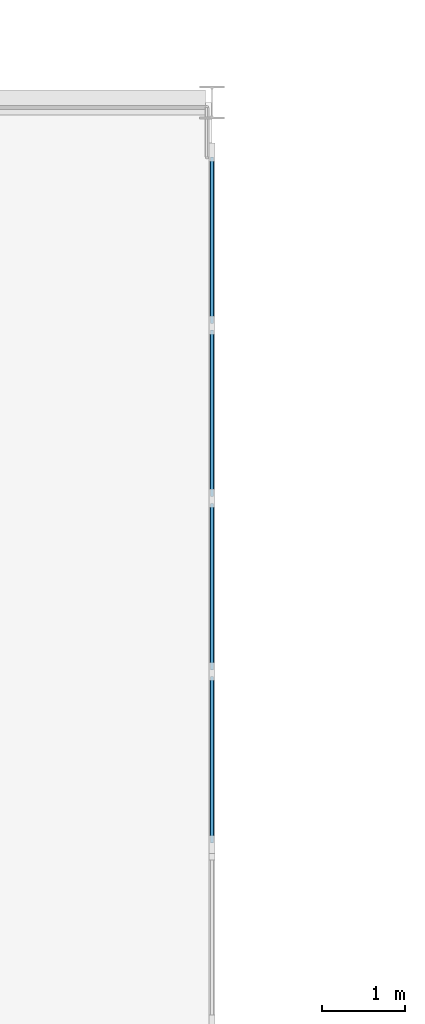
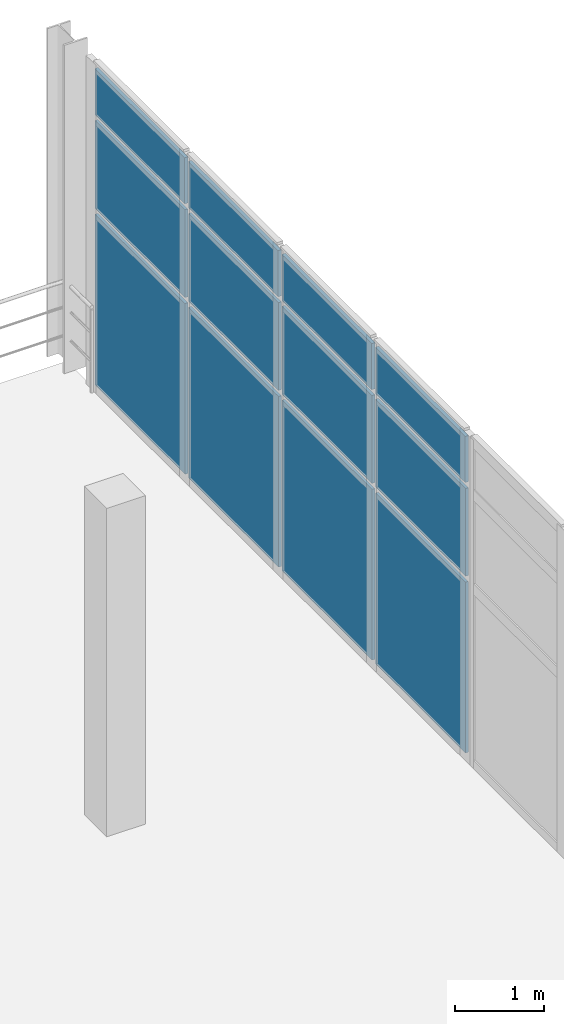
# One storey, part 34 of 52: 12 plates, 1 element without a shape of its own.
"""IFC4 building model written with IfcOpenShell, lengths in metres."""

from ifc_helpers import new_model, si_unit, direction, frame, origin, origin_2d, place, context, subcontext, project, spatial, rectangle, extrude, material, layer, layer_set, type_object, element, aggregate, save


model = new_model("IFC4")

# Units and contexts
model_context = context("Model", 3, precision=1e-05, world=origin(), true_north=direction((0.0, 1.0)))
body_context = subcontext(model_context, "Body", "Model", "MODEL_VIEW")
ifc_project = project(units=[si_unit("LENGTHUNIT", "METRE"), si_unit("AREAUNIT", "SQUARE_METRE"), si_unit("VOLUMEUNIT", "CUBIC_METRE"), si_unit("PLANEANGLEUNIT", "RADIAN"), si_unit("MASSUNIT", "GRAM", prefix="KILO"), si_unit("THERMODYNAMICTEMPERATUREUNIT", "KELVIN"), si_unit("POWERUNIT", "WATT")], contexts=[model_context])

# Site, building, storey
site_placement = place(None, origin())
site = spatial("IfcSite", under=ifc_project, at=site_placement, CompositionType="ELEMENT")
building_placement = place(site_placement, origin())
building = spatial("IfcBuilding", under=site, at=building_placement, Name="Solmara Park Aquatics Centre", CompositionType="ELEMENT")
storey_placement = place(building_placement, frame((0.0, 0.0, 9.60009765625)))
storey = spatial("IfcBuildingStorey", under=building, at=storey_placement, Name="L02", CompositionType="ELEMENT", Elevation=9.60009765625)

# Curtain wall, plates
ifc_material_1 = material(Name="Anodised Aluminium Curtain Wall Framing", Category="aluminium")
curtain_wall_type = type_object("IfcCurtainWallType", Name="ARC-CW-SYS06", PredefinedType="USERDEFINED", material=ifc_material_1)
curtain_wall_placement = place(storey_placement, origin())
curtain_wall = element("IfcCurtainWall", 1, at=curtain_wall_placement, inside=storey, type_object=curtain_wall_type, Name="Curtain Wall CW-129", ObjectType="CURTAIN WALL", PredefinedType="USERDEFINED")
ifc_material_2 = material(Name="Double Low-E Solar-Control Glazing", Category="glass")
ifc_layer_1 = layer(ifc_material_2, 0.035888671875, Name="Double Low-E Solar-Control Glazing")
ifc_layer_set_1 = layer_set([ifc_layer_1], Name="Double Low-E Solar-Control Glazing")
plate_type_1 = type_object("IfcPlateType", Name="ARC-CWP-GLZ36-2000x1200", PredefinedType="CURTAIN_PANEL", material=ifc_layer_set_1)
plate_1_placement = place(storey_placement, frame((120.0, 128.06494140625, 2.48974609375), z_axis=(0.0, 0.0, 1.0), x_axis=(0.0, 1.0, 0.0)))
plate_1 = element("IfcPlate", 2, at=plate_1_placement, type_object=plate_type_1, Name="CW-129 panel 2", PredefinedType="CURTAIN_PANEL", context=body_context, shape_type="SweptSolid", body=[
    extrude(rectangle(XDim=2.010009765625, YDim=0.035888671875, at=origin_2d()), origin(), (0.0, 0.0, 1.0), 1.199951171875),
])
plate_2_placement = place(storey_placement, frame((120.0, 130.155029296875, 2.48974609375), z_axis=(0.0, 0.0, 1.0), x_axis=(0.0, 1.0, 0.0)))
plate_2 = element("IfcPlate", 3, at=plate_2_placement, type_object=plate_type_1, Name="CW-129 panel 5", PredefinedType="CURTAIN_PANEL", context=body_context, shape_type="SweptSolid", body=[
    extrude(rectangle(XDim=2.010009765625, YDim=0.035888671875, at=origin_2d()), origin(), (0.0, 0.0, 1.0), 1.199951171875),
])
plate_3_placement = place(storey_placement, frame((120.0, 132.2451171875, 2.48974609375), z_axis=(0.0, 0.0, 1.0), x_axis=(0.0, 1.0, 0.0)))
plate_3 = element("IfcPlate", 4, at=plate_3_placement, type_object=plate_type_1, Name="CW-129 panel 8", PredefinedType="CURTAIN_PANEL", context=body_context, shape_type="SweptSolid", body=[
    extrude(rectangle(XDim=2.010009765625, YDim=0.035888671875, at=origin_2d()), origin(), (0.0, 0.0, 1.0), 1.199951171875),
])
plate_4_placement = place(storey_placement, frame((120.0, 134.3349609375, 2.48974609375), z_axis=(0.0, 0.0, 1.0), x_axis=(0.0, 1.0, 0.0)))
plate_4 = element("IfcPlate", 5, at=plate_4_placement, type_object=plate_type_1, Name="CW-129 panel 11", PredefinedType="CURTAIN_PANEL", context=body_context, shape_type="SweptSolid", body=[
    extrude(rectangle(XDim=2.010009765625, YDim=0.035888671875, at=origin_2d()), origin(), (0.0, 0.0, 1.0), 1.199951171875),
])
ifc_layer_2 = layer(ifc_material_2, 0.035888671875, Name="Double Low-E Solar-Control Glazing")
ifc_layer_set_2 = layer_set([ifc_layer_2], Name="Double Low-E Solar-Control Glazing")
plate_type_2 = type_object("IfcPlateType", Name="ARC-CWP-GLZ36-2000x2320", PredefinedType="CURTAIN_PANEL", material=ifc_layer_set_2)
plate_5_placement = place(storey_placement, frame((120.0, 128.06494140625, 0.079833984375), z_axis=(0.0, 0.0, 1.0), x_axis=(0.0, 1.0, 0.0)))
plate_5 = element("IfcPlate", 6, at=plate_5_placement, type_object=plate_type_2, Name="CW-129 panel 1", PredefinedType="CURTAIN_PANEL", context=body_context, shape_type="SweptSolid", body=[
    extrude(rectangle(XDim=2.010009765625, YDim=0.035888671875, at=origin_2d()), origin(), (0.0, 0.0, 1.0), 2.330078125),
])
plate_6_placement = place(storey_placement, frame((120.0, 130.155029296875, 0.079833984375), z_axis=(0.0, 0.0, 1.0), x_axis=(0.0, 1.0, 0.0)))
plate_6 = element("IfcPlate", 7, at=plate_6_placement, type_object=plate_type_2, Name="CW-129 panel 4", PredefinedType="CURTAIN_PANEL", context=body_context, shape_type="SweptSolid", body=[
    extrude(rectangle(XDim=2.010009765625, YDim=0.035888671875, at=origin_2d()), origin(), (0.0, 0.0, 1.0), 2.330078125),
])
plate_7_placement = place(storey_placement, frame((120.0, 132.2451171875, 0.079833984375), z_axis=(0.0, 0.0, 1.0), x_axis=(0.0, 1.0, 0.0)))
plate_7 = element("IfcPlate", 8, at=plate_7_placement, type_object=plate_type_2, Name="CW-129 panel 7", PredefinedType="CURTAIN_PANEL", context=body_context, shape_type="SweptSolid", body=[
    extrude(rectangle(XDim=2.010009765625, YDim=0.035888671875, at=origin_2d()), origin(), (0.0, 0.0, 1.0), 2.330078125),
])
plate_8_placement = place(storey_placement, frame((120.0, 134.3349609375, 0.079833984375), z_axis=(0.0, 0.0, 1.0), x_axis=(0.0, 1.0, 0.0)))
plate_8 = element("IfcPlate", 9, at=plate_8_placement, type_object=plate_type_2, Name="CW-129 panel 10", PredefinedType="CURTAIN_PANEL", context=body_context, shape_type="SweptSolid", body=[
    extrude(rectangle(XDim=2.010009765625, YDim=0.035888671875, at=origin_2d()), origin(), (0.0, 0.0, 1.0), 2.330078125),
])
ifc_material_3 = material(Name="Insulated Anodised Aluminium Spandrel Panel", Category="aluminium")
ifc_layer_3 = layer(ifc_material_3, 0.0439453125, Name="Insulated Anodised Aluminium Spandrel Panel")
ifc_layer_set_3 = layer_set([ifc_layer_3], Name="Insulated Anodised Aluminium Spandrel Panel")
plate_type_3 = type_object("IfcPlateType", Name="ARC-CWP-SPN44-2000x640", PredefinedType="CURTAIN_PANEL", material=ifc_layer_set_3)
plate_9_placement = place(storey_placement, frame((120.0, 128.06494140625, 3.77001953125), z_axis=(0.0, 0.0, 1.0), x_axis=(0.0, 1.0, 0.0)))
plate_9 = element("IfcPlate", 10, at=plate_9_placement, type_object=plate_type_3, Name="CW-129 panel 3", PredefinedType="CURTAIN_PANEL", context=body_context, shape_type="SweptSolid", body=[
    extrude(rectangle(XDim=2.010009765625, YDim=0.0439453125, at=origin_2d()), origin(), (0.0, 0.0, 1.0), 0.6298828125),
])
plate_10_placement = place(storey_placement, frame((120.0, 130.155029296875, 3.77001953125), z_axis=(0.0, 0.0, 1.0), x_axis=(0.0, 1.0, 0.0)))
plate_10 = element("IfcPlate", 11, at=plate_10_placement, type_object=plate_type_3, Name="CW-129 panel 6", PredefinedType="CURTAIN_PANEL", context=body_context, shape_type="SweptSolid", body=[
    extrude(rectangle(XDim=2.010009765625, YDim=0.0439453125, at=origin_2d()), origin(), (0.0, 0.0, 1.0), 0.6298828125),
])
plate_11_placement = place(storey_placement, frame((120.0, 132.2451171875, 3.77001953125), z_axis=(0.0, 0.0, 1.0), x_axis=(0.0, 1.0, 0.0)))
plate_11 = element("IfcPlate", 12, at=plate_11_placement, type_object=plate_type_3, Name="CW-129 panel 9", PredefinedType="CURTAIN_PANEL", context=body_context, shape_type="SweptSolid", body=[
    extrude(rectangle(XDim=2.010009765625, YDim=0.0439453125, at=origin_2d()), origin(), (0.0, 0.0, 1.0), 0.6298828125),
])
plate_12_placement = place(storey_placement, frame((120.0, 134.3349609375, 3.77001953125), z_axis=(0.0, 0.0, 1.0), x_axis=(0.0, 1.0, 0.0)))
plate_12 = element("IfcPlate", 13, at=plate_12_placement, type_object=plate_type_3, Name="CW-129 panel 12", PredefinedType="CURTAIN_PANEL", context=body_context, shape_type="SweptSolid", body=[
    extrude(rectangle(XDim=2.010009765625, YDim=0.0439453125, at=origin_2d()), origin(), (0.0, 0.0, 1.0), 0.6298828125),
])
aggregate(curtain_wall, [plate_5, plate_1, plate_9, plate_6, plate_2, plate_10, plate_7, plate_3, plate_11, plate_8, plate_4, plate_12])

save(model, "model.ifc")
